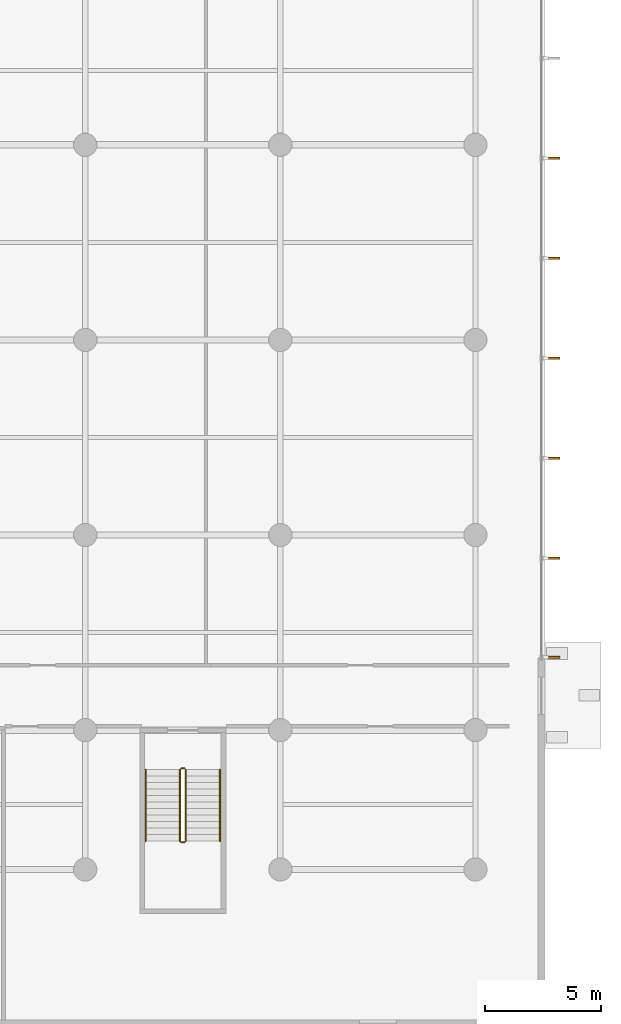
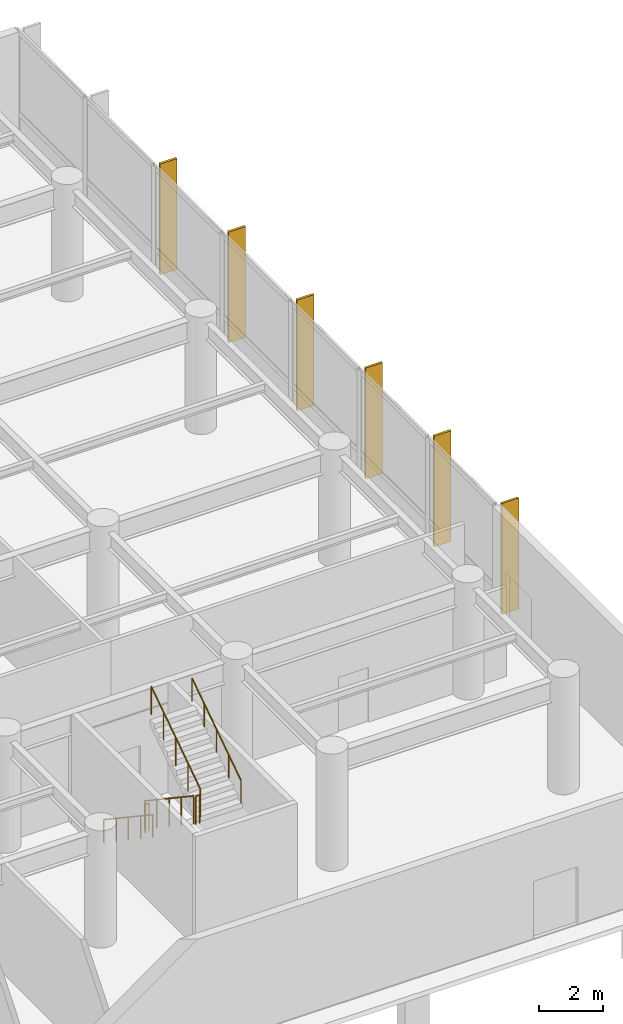
# One storey, part 24 of 26: 6 railings, 6 shading devices.
"""IFC4 building model written with IfcOpenShell, lengths in metres."""

from ifc_helpers import new_model, si_unit, direction, frame, origin, origin_2d, place, context, subcontext, project, spatial, rectangle, circle, extrude, material, layer, layer_set, type_object, element, save


model = new_model("IFC4")

# Units and contexts
model_context = context("Model", 3, precision=1e-05, world=origin(), true_north=direction((0.0, 1.0)))
body_context = subcontext(model_context, "Body", "Model", "MODEL_VIEW")
ifc_project = project(units=[si_unit("LENGTHUNIT", "METRE"), si_unit("AREAUNIT", "SQUARE_METRE"), si_unit("VOLUMEUNIT", "CUBIC_METRE"), si_unit("PLANEANGLEUNIT", "RADIAN"), si_unit("MASSUNIT", "GRAM", prefix="KILO")], contexts=[model_context])

# Site, building, storey
site_placement = place(None, origin())
site = spatial("IfcSite", under=ifc_project, at=site_placement, CompositionType="ELEMENT")
building_placement = place(site_placement, origin())
building = spatial("IfcBuilding", under=site, at=building_placement, Name="Varnakote Quay Hospital", CompositionType="ELEMENT")
storey_placement = place(building_placement, origin())
storey = spatial("IfcBuildingStorey", under=building, at=storey_placement, Name="L00", CompositionType="ELEMENT", Elevation=0.0)

# Railings
ifc_material_1 = material(Name="Brushed stainless steel balustrade", Category="steel")
railing_type_1 = type_object("IfcRailingType", Name="RLG-STAIR-GUARD-1150", PredefinedType="GUARDRAIL", material=ifc_material_1)
railing_1_placement = place(storey_placement, frame((71.280029296875, 10.300048828125, 0.1875)))
element("IfcRailing", 1, at=railing_1_placement, inside=storey, type_object=railing_type_1, Name="L00 ST-06 stair guard 1", PredefinedType="GUARDRAIL", context=body_context, shape_type="SweptSolid", body=[
    extrude(circle(Radius=0.02392578125, at=origin_2d()), frame((0.0, 0.0, 1.076171875), z_axis=(0.0, -0.830913701846, 0.55640131208), x_axis=(1.0, 0.0, 0.0)), (0.0, 0.0, 1.0), 3.706787109375),
    extrude(circle(Radius=0.02099609375, at=origin_2d()), origin(), (0.0, 0.0, 1.0), 1.052001953125),
    extrude(circle(Radius=0.02099609375, at=origin_2d()), frame((0.0, -0.77001953125, 0.515625)), (0.0, 0.0, 1.0), 1.052001953125),
    extrude(circle(Radius=0.02099609375, at=origin_2d()), frame((0.0, -1.5400390625, 1.03125)), (0.0, 0.0, 1.0), 1.052001953125),
    extrude(circle(Radius=0.02099609375, at=origin_2d()), frame((0.0, -2.31005859375, 1.546875)), (0.0, 0.0, 1.0), 1.052001953125),
    extrude(circle(Radius=0.02099609375, at=origin_2d()), frame((0.0, -3.080078125, 2.0625)), (0.0, 0.0, 1.0), 1.052001953125),
])
railing_2_placement = place(storey_placement, frame((71.330078125, 7.169921875, 2.25)))
element("IfcRailing", 2, at=railing_2_placement, inside=storey, type_object=railing_type_1, Name="L00 ST-06 stair guard 2", PredefinedType="GUARDRAIL", context=body_context, shape_type="SweptSolid", body=[
    extrude(circle(Radius=0.02392578125, at=origin_2d()), frame((0.0, 0.0, 1.076171875), z_axis=(1.0, 0.0, 0.0), x_axis=(0.0, 1.0, 0.0)), (0.0, 0.0, 1.0), 0.139892578125),
    extrude(circle(Radius=0.02099609375, at=origin_2d()), origin(), (0.0, 0.0, 1.0), 1.052001953125),
    extrude(circle(Radius=0.02099609375, at=origin_2d()), frame((0.139892578125, 0.0, 0.0)), (0.0, 0.0, 1.0), 1.052001953125),
])
railing_3_placement = place(storey_placement, frame((71.52001953125, 7.219970703125, 2.4375)))
element("IfcRailing", 3, at=railing_3_placement, inside=storey, type_object=railing_type_1, Name="L00 ST-06 stair guard 3", PredefinedType="GUARDRAIL", context=body_context, shape_type="SweptSolid", body=[
    extrude(circle(Radius=0.02392578125, at=origin_2d()), frame((0.0, 0.0, 1.076171875), z_axis=(0.0, 0.830913701846, 0.55640131208), x_axis=(-1.0, 0.0, 0.0)), (0.0, 0.0, 1.0), 3.706787109375),
    extrude(circle(Radius=0.02099609375, at=origin_2d()), origin(), (0.0, 0.0, 1.0), 1.052001953125),
    extrude(circle(Radius=0.02099609375, at=origin_2d()), frame((0.0, 0.77001953125, 0.515625)), (0.0, 0.0, 1.0), 1.052001953125),
    extrude(circle(Radius=0.02099609375, at=origin_2d()), frame((0.0, 1.5400390625, 1.03125)), (0.0, 0.0, 1.0), 1.052001953125),
    extrude(circle(Radius=0.02099609375, at=origin_2d()), frame((0.0, 2.31005859375, 1.546875)), (0.0, 0.0, 1.0), 1.052001953125),
    extrude(circle(Radius=0.02099609375, at=origin_2d()), frame((0.0, 3.080078125, 2.0625)), (0.0, 0.0, 1.0), 1.052001953125),
])
railing_4_placement = place(storey_placement, frame((71.330078125, 10.35009765625, 0.0)))
element("IfcRailing", 4, at=railing_4_placement, inside=storey, type_object=railing_type_1, Name="L00 ST-06 stair guard 4", PredefinedType="GUARDRAIL", context=body_context, shape_type="SweptSolid", body=[
    extrude(circle(Radius=0.02392578125, at=origin_2d()), frame((0.0, 0.0, 1.076171875), z_axis=(1.0, 0.0, 0.0), x_axis=(0.0, 1.0, 0.0)), (0.0, 0.0, 1.0), 0.139892578125),
    extrude(circle(Radius=0.02099609375, at=origin_2d()), origin(), (0.0, 0.0, 1.0), 1.052001953125),
    extrude(circle(Radius=0.02099609375, at=origin_2d()), frame((0.139892578125, 0.0, 0.0)), (0.0, 0.0, 1.0), 1.052001953125),
])
ifc_material_2 = material(Name="Brushed stainless steel handrail", Category="steel")
railing_type_2 = type_object("IfcRailingType", Name="RLG-STAIR-HND-920", PredefinedType="HANDRAIL", material=ifc_material_2)
railing_5_placement = place(storey_placement, frame((69.800048828125, 10.300048828125, 0.1875)))
element("IfcRailing", 5, at=railing_5_placement, inside=storey, type_object=railing_type_2, Name="L00 ST-06 stair handrail 1", PredefinedType="HANDRAIL", context=body_context, shape_type="SweptSolid", body=[
    extrude(circle(Radius=0.02392578125, at=origin_2d()), frame((0.0, 0.0, 0.8759765625), z_axis=(0.0, -0.830913701846, 0.55640131208), x_axis=(1.0, 0.0, 0.0)), (0.0, 0.0, 1.0), 3.706787109375),
    extrude(circle(Radius=0.02099609375, at=origin_2d()), origin(), (0.0, 0.0, 1.0), 0.851806640625),
    extrude(circle(Radius=0.02099609375, at=origin_2d()), frame((0.0, -0.77001953125, 0.515625)), (0.0, 0.0, 1.0), 0.851806640625),
    extrude(circle(Radius=0.02099609375, at=origin_2d()), frame((0.0, -1.5400390625, 1.03125)), (0.0, 0.0, 1.0), 0.851806640625),
    extrude(circle(Radius=0.02099609375, at=origin_2d()), frame((0.0, -2.31005859375, 1.546875)), (0.0, 0.0, 1.0), 0.851806640625),
    extrude(circle(Radius=0.02099609375, at=origin_2d()), frame((0.0, -3.080078125, 2.0625)), (0.0, 0.0, 1.0), 0.851806640625),
])
railing_6_placement = place(storey_placement, frame((73.0, 7.219970703125, 2.4375)))
element("IfcRailing", 6, at=railing_6_placement, inside=storey, type_object=railing_type_2, Name="L00 ST-06 stair handrail 2", PredefinedType="HANDRAIL", context=body_context, shape_type="SweptSolid", body=[
    extrude(circle(Radius=0.02392578125, at=origin_2d()), frame((0.0, 0.0, 0.8759765625), z_axis=(0.0, 0.830913701846, 0.55640131208), x_axis=(-1.0, 0.0, 0.0)), (0.0, 0.0, 1.0), 3.706787109375),
    extrude(circle(Radius=0.02099609375, at=origin_2d()), origin(), (0.0, 0.0, 1.0), 0.851806640625),
    extrude(circle(Radius=0.02099609375, at=origin_2d()), frame((0.0, 0.77001953125, 0.515625)), (0.0, 0.0, 1.0), 0.851806640625),
    extrude(circle(Radius=0.02099609375, at=origin_2d()), frame((0.0, 1.5400390625, 1.03125)), (0.0, 0.0, 1.0), 0.851806640625),
    extrude(circle(Radius=0.02099609375, at=origin_2d()), frame((0.0, 2.31005859375, 1.546875)), (0.0, 0.0, 1.0), 0.851806640625),
    extrude(circle(Radius=0.02099609375, at=origin_2d()), frame((0.0, 3.080078125, 2.0625)), (0.0, 0.0, 1.0), 0.851806640625),
])

# Shading devices
ifc_material_3 = material(Name="Anodised aluminium 6063-T6 Bronze", Category="aluminium")
ifc_layer = layer(ifc_material_3, 0.0849609375)
ifc_layer_set = layer_set([ifc_layer], Name="Anodised aluminium 6063-T6 Bronze")
shading_device_type = type_object("IfcShadingDeviceType", Name="SHD-BRONZE-FIN-620", PredefinedType="USERDEFINED", material=ifc_layer_set)
for number, where, z_axis, x_axis, name in (
    (7, (87.330078125, 15.142578125, 0.0), (0.0, 0.0, 1.0), (-1.0, 0.0, 0.0), "L00 Anodised Bronze Vertical Shading FIN"),
    (8, (87.330078125, 19.40576171875, 0.0), (0.0, 0.0, 1.0), (-1.0, 0.0, 0.0), "L00 Anodised Bronze Vertical Shading FIN"),
    (9, (87.330078125, 23.71142578125, 0.0), (0.0, 0.0, 1.0), (-1.0, 0.0, 0.0), "L00 Anodised Bronze Vertical Shading FIN"),
    (10, (87.330078125, 28.01708984375, 0.0), (0.0, 0.0, 1.0), (-1.0, 0.0, 0.0), "L00 Anodised Bronze Vertical Shading FIN"),
    (11, (87.330078125, 32.322998046875, 0.0), (0.0, 0.0, 1.0), (-1.0, 0.0, 0.0), "L00 Anodised Bronze Vertical Shading FIN"),
    (12, (87.330078125, 36.628662109375, 0.0), (0.0, 0.0, 1.0), (-1.0, 0.0, 0.0), "L00 Anodised Bronze Vertical Shading FIN"),
):
    element("IfcShadingDevice", number, at=place(storey_placement, frame(where, z_axis=z_axis, x_axis=x_axis)), inside=storey, type_object=shading_device_type, Name=name, ObjectType="FIN", PredefinedType="USERDEFINED", context=body_context, shape_type="SweptSolid", body=[
        extrude(rectangle(XDim=0.6201171875, YDim=0.0849609375, at=origin_2d()), origin(), (0.0, 0.0, 1.0), 4.25),
    ])

save(model, "model.ifc")
